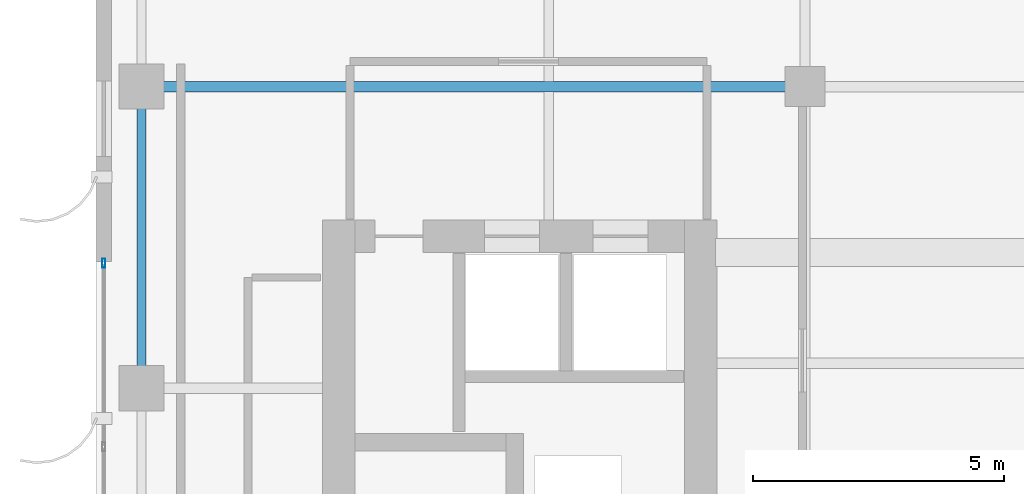
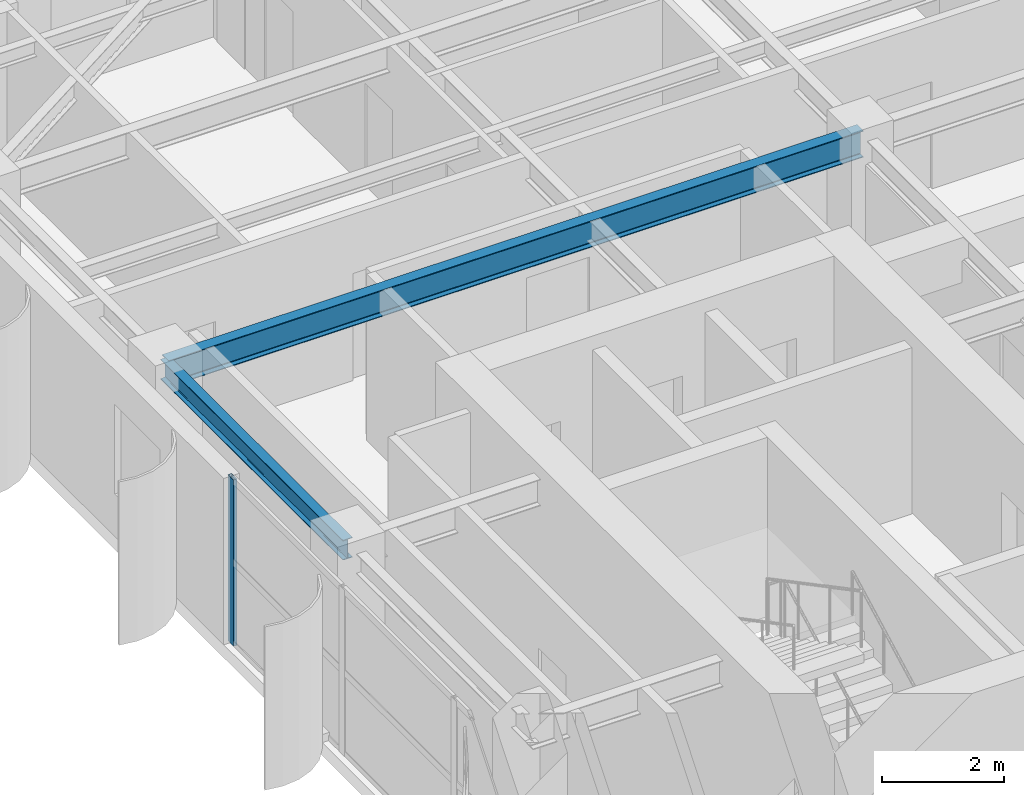
# One storey, part 7 of 22: 2 beams, 1 member, 1 element without a shape of its own.
"""IFC4 building model written with IfcOpenShell, lengths in metres."""

import ifcopenshell
import ifcopenshell.guid

model = None  # the IFC model being written
_history = None  # IfcOwnerHistory: only IFC2X3 demands one
_inside = {}  # id of a spatial element -> (the spatial element, [elements in it])
_under = {}  # id of a project, library or spatial element -> (it, [spatial elements below it])
_declared = {}  # id of a project -> (the project, [libraries it declares])
_typed = {}  # id of a type object -> (the type object, [elements of that type])
_made_of = {}  # id of a material, layer set ... -> (it, [elements and type objects made of it])


def new_model(schema):
    """Start an empty IFC model of exactly this schema.

    Asked for "IFC4X3", IfcOpenShell would pick the latest addendum, in which some entities
    have other attributes; the version numbers below select the first issue.
    IFC2X3 requires an IfcOwnerHistory on every rooted entity: one is made here for all.
    """
    global model, _history
    if schema == "IFC4X3":
        model = ifcopenshell.file(schema_version=(4, 3, 0, 0))
    else:
        model = ifcopenshell.file(schema=schema)
    _inside.clear()
    _under.clear()
    _declared.clear()
    _typed.clear()
    _made_of.clear()
    _history = None
    if model.schema == "IFC2X3":
        org = make("IfcOrganization", Name="unknown")
        user = make(
            "IfcPersonAndOrganization",
            ThePerson=make("IfcPerson", FamilyName="unknown"),
            TheOrganization=org,
        )
        app = make(
            "IfcApplication",
            ApplicationDeveloper=org,
            Version="unknown",
            ApplicationFullName="unknown",
            ApplicationIdentifier="unknown",
        )
        _history = make(
            "IfcOwnerHistory",
            OwningUser=user,
            OwningApplication=app,
            ChangeAction="ADDED",
            CreationDate=0,
        )
    return model


def make(cls, **values):
    """One entity of the class cls with the attributes given. An attribute that is None is left unset."""
    return model.create_entity(
        cls, **{name: value for name, value in values.items() if value is not None}
    )


def rooted(cls, **values):
    """An entity with a GlobalId (a new one), such as an element, a storey or a relation."""
    return make(cls, GlobalId=ifcopenshell.guid.new(), OwnerHistory=_history, **values)


def si_unit(unit_type, name, prefix=None):
    """IfcSIUnit, for example si_unit("LENGTHUNIT", "METRE", prefix="MILLI")."""
    return make("IfcSIUnit", UnitType=unit_type, Prefix=prefix, Name=name)


def assignment(units):
    """IfcUnitAssignment: the units of a project."""
    return None if units is None else make("IfcUnitAssignment", Units=units)


def point(xyz):
    """IfcCartesianPoint."""
    return None if xyz is None else make("IfcCartesianPoint", Coordinates=xyz)


def direction(xyz):
    """IfcDirection."""
    return None if xyz is None else make("IfcDirection", DirectionRatios=xyz)


def frame(location, z_axis=None, x_axis=None):
    """IfcAxis2Placement3D, a coordinate frame: its origin and axes. An axis left out is left unset."""
    return make(
        "IfcAxis2Placement3D",
        Location=point(location),
        Axis=direction(z_axis),
        RefDirection=direction(x_axis),
    )


def frame_2d(location, x_axis=None):
    """IfcAxis2Placement2D, a coordinate frame in the plane: its origin and x axis."""
    return make(
        "IfcAxis2Placement2D", Location=point(location), RefDirection=direction(x_axis)
    )


def origin():
    """The frame at (0, 0, 0) with its axes left unset."""
    return frame((0.0, 0.0, 0.0))


def origin_2d():
    """The frame at (0, 0) in the plane with its x axis left unset."""
    return frame_2d((0.0, 0.0))


def place(relative_to, where):
    """IfcLocalPlacement: puts the frame where relative to a parent placement (None: the world)."""
    return make(
        "IfcLocalPlacement", PlacementRelTo=relative_to, RelativePlacement=where
    )


def context(
    kind, dimensions, precision=None, world=None, true_north=None, identifier=None
):
    """IfcGeometricRepresentationContext, for example the 3D "Model" context."""
    return make(
        "IfcGeometricRepresentationContext",
        ContextIdentifier=identifier,
        ContextType=kind,
        CoordinateSpaceDimension=dimensions,
        Precision=precision,
        WorldCoordinateSystem=world,
        TrueNorth=true_north,
    )


def subcontext(parent, identifier, kind, view, scale=None):
    """IfcGeometricRepresentationSubContext, for example "Body" below "Model"."""
    return make(
        "IfcGeometricRepresentationSubContext",
        ContextIdentifier=identifier,
        ContextType=kind,
        ParentContext=parent,
        TargetScale=scale,
        TargetView=view,
    )


def project(units=None, contexts=None):
    """IfcProject with its units and contexts."""
    return rooted(
        "IfcProject",
        Name="project",
        RepresentationContexts=contexts,
        UnitsInContext=assignment(units),
    )


def spatial(cls, under=None, at=None, **own):
    """A site, building, storey or space (cls), placed at a placement, below another one or the project."""
    s = rooted(cls, ObjectPlacement=at, **own)
    if under is not None:
        _under.setdefault(under.id(), (under, []))[1].append(s)
    return s


def profile(cls, at=None, kind="AREA", **sizes):
    """A parametric profile (cls). Its sizes go by their IFC names, for example OverallWidth=200.0."""
    return make(cls, ProfileType=kind, Position=at, **sizes)


def hollow_rectangle(**sizes):
    """IfcRectangleHollowProfileDef."""
    return profile("IfcRectangleHollowProfileDef", **sizes)


def i_section(**sizes):
    """IfcIShapeProfileDef."""
    return profile("IfcIShapeProfileDef", **sizes)


def extrude(swept, where, along, depth):
    """IfcExtrudedAreaSolid: the profile swept, set in the frame where, extruded along a direction by depth."""
    return make(
        "IfcExtrudedAreaSolid",
        SweptArea=swept,
        Position=where,
        ExtrudedDirection=direction(along),
        Depth=depth,
    )


def shape(context_of_items, identifier, shape_type, items):
    """IfcShapeRepresentation: the items that make up one representation, for example the "Body"."""
    return make(
        "IfcShapeRepresentation",
        ContextOfItems=context_of_items,
        RepresentationIdentifier=identifier,
        RepresentationType=shape_type,
        Items=items,
    )


def source(mapping_origin, context_of_items, identifier, shape_type, items):
    """IfcRepresentationMap: a shape defined once, which mapped items show again and again."""
    return make(
        "IfcRepresentationMap",
        MappingOrigin=mapping_origin,
        MappedRepresentation=shape(context_of_items, identifier, shape_type, items),
    )


def transform(
    local_origin,
    x_axis=None,
    y_axis=None,
    z_axis=None,
    scale=None,
    scale2=None,
    scale3=None,
    uniform=True,
):
    """IfcCartesianTransformationOperator3D, or its non-uniform kind. x_axis, y_axis, z_axis: its Axis1, 2, 3."""
    if uniform:
        return make(
            "IfcCartesianTransformationOperator3D",
            Axis1=direction(x_axis),
            Axis2=direction(y_axis),
            LocalOrigin=point(local_origin),
            Scale=scale,
            Axis3=direction(z_axis),
        )
    return make(
        "IfcCartesianTransformationOperator3DnonUniform",
        Axis1=direction(x_axis),
        Axis2=direction(y_axis),
        LocalOrigin=point(local_origin),
        Scale=scale,
        Axis3=direction(z_axis),
        Scale2=scale2,
        Scale3=scale3,
    )


def mapped(mapping_source, mapping_target):
    """IfcMappedItem: shows the shape of a source again, moved by a transform."""
    return make(
        "IfcMappedItem", MappingSource=mapping_source, MappingTarget=mapping_target
    )


def material(Name=None, Category=None):
    """IfcMaterial."""
    return make("IfcMaterial", Name=Name, Category=Category)


def layer(
    of_material, thickness, ventilated=None, Name=None, Category=None, Priority=None
):
    """IfcMaterialLayer: one layer of a wall or slab, of a material (None: an air gap)."""
    return make(
        "IfcMaterialLayer",
        Material=of_material,
        LayerThickness=thickness,
        IsVentilated=ventilated,
        Name=Name,
        Category=Category,
        Priority=Priority,
    )


def layer_set(layers, Name=None):
    """IfcMaterialLayerSet."""
    return make("IfcMaterialLayerSet", MaterialLayers=layers, LayerSetName=Name)


def material_profile(
    of_material, cross_section, Name=None, Category=None, Priority=None
):
    """IfcMaterialProfile: a cross section and its material."""
    return make(
        "IfcMaterialProfile",
        Name=Name,
        Material=of_material,
        Profile=cross_section,
        Priority=Priority,
        Category=Category,
    )


def profile_set(profiles, Name=None, composite=None):
    """IfcMaterialProfileSet."""
    return make(
        "IfcMaterialProfileSet",
        Name=Name,
        MaterialProfiles=profiles,
        CompositeProfile=composite,
    )


def made_of(thing, what):
    """Note that an element or type object is made of a material, layer set ...; save() writes the relation."""
    if what is not None:
        _made_of.setdefault(what.id(), (what, []))[1].append(thing)
    return thing


def type_object(cls, material=None, **own):
    """A type object (cls), such as IfcWallType, which elements share."""
    return made_of(rooted(cls, **own), material)


def element(
    cls,
    number,
    at=None,
    inside=None,
    cuts=None,
    type_object=None,
    material=None,
    context=None,
    identifier="Body",
    shape_type=None,
    held_by="IfcProductDefinitionShape",
    body=None,
    shapes=None,
    **own,
):
    """One element of the class cls, such as IfcWall. Its Tag is "e" and its number.

    at: its placement. inside: the storey or other place that contains it. cuts: it is an
    opening in that element (IfcRelVoidsElement). A single representation is given by context,
    identifier, shape_type and body (its items); several are given by shapes. held_by: the class
    of the entity that holds the representations. save() writes the other relations.
    """
    e = rooted(cls, Tag="e%d" % number, ObjectPlacement=at, **own)
    if body is not None:
        shapes = [shape(context, identifier, shape_type, body)]
    if shapes is not None:
        e.Representation = make(held_by, Representations=shapes)
    if inside is not None:
        _inside.setdefault(inside.id(), (inside, []))[1].append(e)
    if cuts is not None:
        rooted(
            "IfcRelVoidsElement", RelatingBuildingElement=cuts, RelatedOpeningElement=e
        )
    if type_object is not None:
        _typed.setdefault(type_object.id(), (type_object, []))[1].append(e)
    return made_of(e, material)


def aggregate(whole, parts):
    """IfcRelAggregates: a whole, such as a stair, and the parts it consists of."""
    return rooted("IfcRelAggregates", RelatingObject=whole, RelatedObjects=parts)


def save(model, path):
    """Write the relations noted so far, then the file.

    IfcRelAggregates (storeys below a building ...), IfcRelContainedInSpatialStructure (elements
    in a storey), IfcRelDefinesByType, IfcRelAssociatesMaterial and IfcRelDeclares: one each for
    every whole, place, type object, material and project.
    """
    for whole, parts in _under.values():
        aggregate(whole, parts)
    for where, things in _inside.values():
        rooted(
            "IfcRelContainedInSpatialStructure",
            RelatedElements=things,
            RelatingStructure=where,
        )
    for kind, things in _typed.values():
        rooted("IfcRelDefinesByType", RelatedObjects=things, RelatingType=kind)
    for what, things in _made_of.values():
        rooted("IfcRelAssociatesMaterial", RelatedObjects=things, RelatingMaterial=what)
    for by, libraries in _declared.values():
        rooted("IfcRelDeclares", RelatingContext=by, RelatedDefinitions=libraries)
    model.write(path)


model = new_model("IFC4")

# Units and contexts
model_context = context("Model", 3, precision=1e-05, world=origin(), true_north=direction((0.0, 1.0)))
body_context = subcontext(model_context, "Body", "Model", "MODEL_VIEW")
ifc_project = project(units=[si_unit("LENGTHUNIT", "METRE"), si_unit("AREAUNIT", "SQUARE_METRE"), si_unit("VOLUMEUNIT", "CUBIC_METRE"), si_unit("PLANEANGLEUNIT", "RADIAN"), si_unit("MASSUNIT", "GRAM", prefix="KILO")], contexts=[model_context])

# Site, building, storey
site_placement = place(None, origin())
site = spatial("IfcSite", under=ifc_project, at=site_placement, CompositionType="ELEMENT")
building_placement = place(site_placement, origin())
building = spatial("IfcBuilding", under=site, at=building_placement, Name="Khoralis Quay Care Tower", CompositionType="ELEMENT")
storey_placement = place(building_placement, frame((0.0, 0.0, 170.10009765625)))
storey = spatial("IfcBuildingStorey", under=building, at=storey_placement, Name="L44", CompositionType="ELEMENT", Elevation=170.10009765625)

# Beams
ifc_material_1 = material(Name="Steel S355", Category="steel")
ifc_material_profile_1 = material_profile(ifc_material_1, i_section(OverallWidth=0.179931640625, OverallDepth=0.39990234375, WebThickness=0.008544921875, FlangeThickness=0.013427734375, FilletRadius=0.02099609375, at=origin_2d()), Name="Steel S355")
ifc_profile_set_1 = profile_set([ifc_material_profile_1], Name="Steel S355")
beam_type_1 = type_object("IfcBeamType", Name="BM-IPE400", PredefinedType="SPANDREL", material=ifc_profile_set_1)
shared_shape_1 = source(origin(), body_context, "Body", "SweptSolid", [
    extrude(i_section(OverallWidth=0.179931640625, OverallDepth=0.39990234375, WebThickness=0.008544921875, FlangeThickness=0.013427734375, FilletRadius=0.02099609375, at=origin_2d()), origin(), (0.0, 0.0, 1.0), 6.0),
])
beam_1_placement = place(storey_placement, frame((3.89990234375, 24.0, 3.139892578125), z_axis=(0.0, 1.0, 0.0), x_axis=(-1.0, 0.0, 0.0)))
element("IfcBeam", 1, at=beam_1_placement, inside=storey, type_object=beam_type_1, Name="BM-TSP-L44-12", PredefinedType="SPANDREL", context=body_context, shape_type="MappedRepresentation", body=[
    mapped(shared_shape_1, transform((0.0, 0.0, 0.0), scale=1.0)),
])
ifc_material_profile_2 = material_profile(ifc_material_1, i_section(OverallWidth=0.208984375, OverallDepth=0.532958984375, WebThickness=0.01025390625, FlangeThickness=0.015625, FilletRadius=0.01611328125, at=origin_2d()), Name="Steel S355")
ifc_profile_set_2 = profile_set([ifc_material_profile_2], Name="Steel S355")
beam_type_2 = type_object("IfcBeamType", Name="BM-W530X92", PredefinedType="BEAM", material=ifc_profile_set_2)
shared_shape_2 = source(origin(), body_context, "Body", "SweptSolid", [
    extrude(i_section(OverallWidth=0.208984375, OverallDepth=0.532958984375, WebThickness=0.01025390625, FlangeThickness=0.015625, FilletRadius=0.01611328125, at=origin_2d()), origin(), (0.0, 0.0, 1.0), 13.2001953125),
])
beam_2_placement = place(storey_placement, frame((3.89990234375, 30.0, 3.073486328125), z_axis=(1.0, 0.0, 0.0), x_axis=(0.0, 1.0, 0.0)))
element("IfcBeam", 2, at=beam_2_placement, inside=storey, type_object=beam_type_2, Name="BM-TGXW-L44-300", PredefinedType="BEAM", context=body_context, shape_type="MappedRepresentation", body=[
    mapped(shared_shape_2, transform((0.0, 0.0, 0.0), scale=1.0)),
])

# Curtain wall, member
ifc_material_2 = material(Name="Pale anodised aluminium", Category="aluminium")
ifc_layer = layer(ifc_material_2, 0.159912109375)
ifc_layer_set = layer_set([ifc_layer], Name="Pale anodised aluminium")
curtain_wall_type = type_object("IfcCurtainWallType", Name="CW-SYS-Z3", PredefinedType="NOTDEFINED", material=ifc_layer_set)
curtain_wall_placement = place(storey_placement, origin())
curtain_wall = element("IfcCurtainWall", 3, at=curtain_wall_placement, inside=storey, type_object=curtain_wall_type, Name="L44 Unitised Curtain Wall CW-L44-P1-E15", PredefinedType="NOTDEFINED")
ifc_material_profile_3 = material_profile(ifc_material_2, hollow_rectangle(XDim=0.06494140625, YDim=0.179931640625, WallThickness=0.00390625, at=origin_2d()), Name="Pale anodised aluminium")
ifc_profile_set_3 = profile_set([ifc_material_profile_3], Name="Pale anodised aluminium")
member_type = type_object("IfcMemberType", Name="CW-MUL-180", PredefinedType="MULLION", material=ifc_profile_set_3)
shared_shape_3 = source(origin(), body_context, "Body", "SweptSolid", [
    extrude(hollow_rectangle(XDim=0.06494140625, YDim=0.179931640625, WallThickness=0.00390625, at=origin_2d()), origin(), (0.0, 0.0, 1.0), 3.33984375),
])
member_placement = place(storey_placement, frame((3.14990234375, 26.489990234375, 0.0), z_axis=(0.0, 0.0, 1.0), x_axis=(1.0, 0.0, 0.0)))
member = element("IfcMember", 4, at=member_placement, type_object=member_type, Name="CW3 mullion 1", PredefinedType="MULLION", context=body_context, shape_type="MappedRepresentation", body=[
    mapped(shared_shape_3, transform((0.0, 0.0, 0.0), scale=1.0)),
])
aggregate(curtain_wall, [member])

save(model, "model.ifc")
